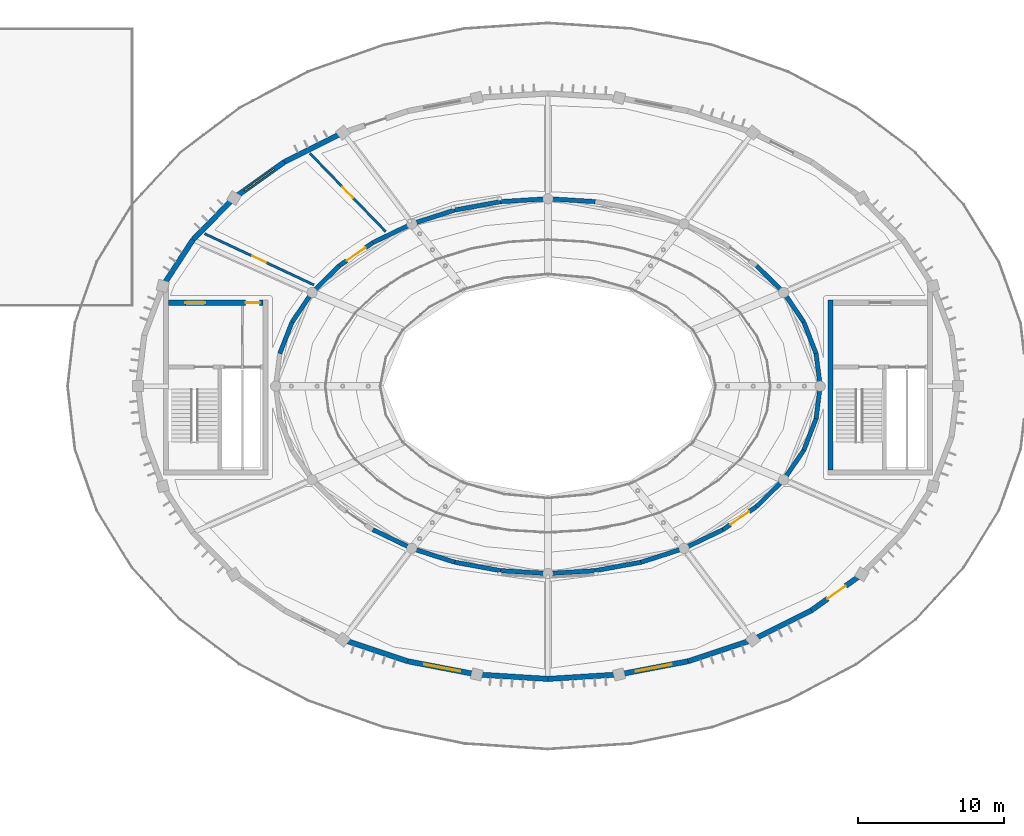
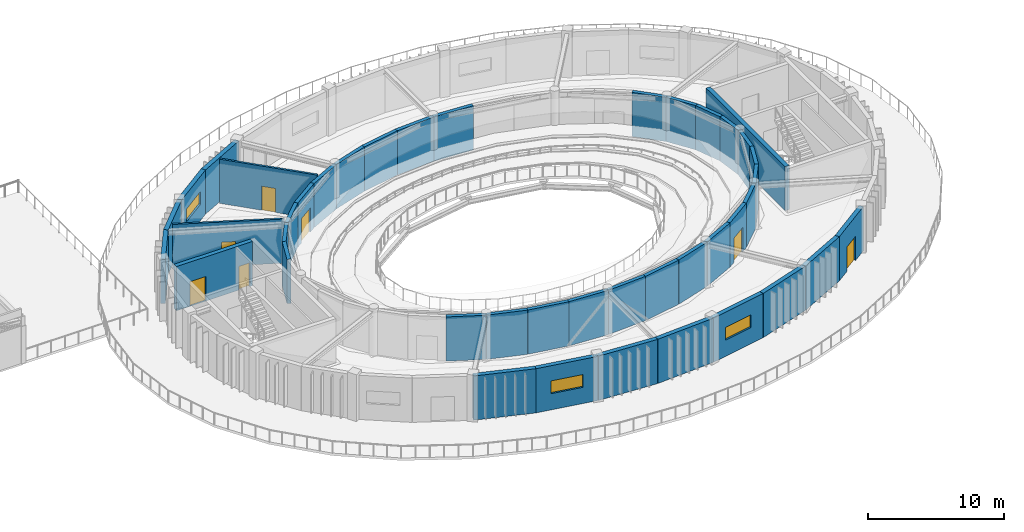
# One storey, part 45 of 63: 42 walls, 7 doors, 3 windows, 10 openings.
"""IFC4 building model written with IfcOpenShell, lengths in metres."""

from ifc_helpers import new_model, si_unit, direction, frame, frame_2d, origin, place, context, subcontext, project, spatial, rectangle, extrude, material, layer, layer_set, type_object, element, fill, save


model = new_model("IFC4")

# Units and contexts
model_context = context("Model", 3, precision=1e-05, world=origin(), true_north=direction((0.0, 1.0)))
body_context = subcontext(model_context, "Body", "Model", "MODEL_VIEW")
ifc_project = project(units=[si_unit("LENGTHUNIT", "METRE"), si_unit("AREAUNIT", "SQUARE_METRE"), si_unit("VOLUMEUNIT", "CUBIC_METRE"), si_unit("PLANEANGLEUNIT", "RADIAN"), si_unit("MASSUNIT", "GRAM", prefix="KILO")], contexts=[model_context])

# Site, building, storey
site_placement = place(None, origin())
site = spatial("IfcSite", under=ifc_project, at=site_placement, CompositionType="ELEMENT")
building_placement = place(site_placement, origin())
building = spatial("IfcBuilding", under=site, at=building_placement, Name="Tarnveldt Headland Concert Hall", CompositionType="ELEMENT")
storey_placement = place(building_placement, frame((0.0, 0.0, 14.39990234375)))
storey = spatial("IfcBuildingStorey", under=building, at=storey_placement, Name="L03", CompositionType="ELEMENT", Elevation=14.39990234375)

# Wall, openings, doors
ifc_material_1 = material(Name="Concrete C40/50", Category="concrete")
ifc_layer_1 = layer(ifc_material_1, 0.35009765625, Name="Concrete C40/50", Category="concrete")
ifc_layer_set_1 = layer_set([ifc_layer_1], Name="Concrete C40/50")
wall_type_1 = type_object("IfcWallType", Name="WL-CR350", PredefinedType="SHEAR", material=ifc_layer_set_1)
wall_1_placement = place(storey_placement, frame((57.574951171875, 60.199951171875, 0.0), z_axis=(0.0, 0.0, 1.0), x_axis=(1.0, 0.0, 0.0)))
wall_1 = element("IfcWall", 1, at=wall_1_placement, inside=storey, type_object=wall_type_1, Name="Core C1 north shear wall L03", PredefinedType="SHEAR", context=body_context, shape_type="SweptSolid", body=[
    extrude(rectangle(XDim=6.449951171875, YDim=0.35009765625, at=frame_2d((3.22509765625, 0.0))), origin(), (0.0, 0.0, 1.0), 3.960205078125),
])
opening_1_placement = place(wall_1_placement, frame((1.14990234375, 0.0, 0.0)))
opening_1 = element("IfcOpeningElement", 2, at=opening_1_placement, cuts=wall_1, Name="Opening FFD-C1-L03", PredefinedType="OPENING", context=body_context, shape_type="SweptSolid", body=[
    extrude(rectangle(XDim=1.35009765625, YDim=2.199951171875, at=frame_2d((0.675048828125, 1.10009765625))), frame((0.0, 0.18505859375, 0.0), z_axis=(0.0, -1.0, 0.0), x_axis=(1.0, 0.0, 0.0)), (0.0, 0.0, 1.0), 0.3701171875),
])
opening_2_placement = place(wall_1_placement, frame((5.280029296875, 0.0, 0.0)))
opening_2 = element("IfcOpeningElement", 3, at=opening_2_placement, cuts=wall_1, Name="Opening LBD-C1-L03", PredefinedType="OPENING", context=body_context, shape_type="SweptSolid", body=[
    extrude(rectangle(XDim=0.949951171875, YDim=2.1201171875, at=frame_2d((0.47509765625, 1.06005859375))), frame((0.0, 0.18505859375, 0.0), z_axis=(0.0, -1.0, 0.0), x_axis=(1.0, 0.0, 0.0)), (0.0, 0.0, 1.0), 0.3701171875),
])
ifc_material_2 = material(Name="Galvanised painted steel sheet", Category="steel")
door_type_1 = type_object("IfcDoorType", Name="DR-FF135", OperationType="NOTDEFINED", PredefinedType="DOOR", material=ifc_material_2)
door_1_placement = place(opening_1_placement, origin())
door_1 = element("IfcDoor", 4, at=door_1_placement, inside=storey, type_object=door_type_1, Name="Core C1 firefighting lobby entrance door L03", OperationType="SINGLE_SWING_RIGHT", OverallHeight=2.199951171875, OverallWidth=1.35009765625, PredefinedType="DOOR", context=body_context, shape_type="SweptSolid", body=[
    extrude(rectangle(XDim=1.35009765625, YDim=2.199951171875, at=frame_2d((0.675048828125, 1.10009765625))), frame((0.0, 0.02490234375, 0.0), z_axis=(0.0, -1.0, 0.0), x_axis=(1.0, 0.0, 0.0)), (0.0, 0.0, 1.0), 0.050048828125),
])
fill(opening_1, door_1)
ifc_material_3 = material(Name="Treated East African mvule hardwood", Category="wood")
door_type_2 = type_object("IfcDoorType", Name="DR-RM095", OperationType="NOTDEFINED", PredefinedType="DOOR", material=ifc_material_3)
door_2_placement = place(opening_2_placement, origin())
door_2 = element("IfcDoor", 5, at=door_2_placement, inside=storey, type_object=door_type_2, Name="Core C1 lift lobby entrance door L03", OperationType="SINGLE_SWING_LEFT", OverallHeight=2.1201171875, OverallWidth=0.949951171875, PredefinedType="DOOR", context=body_context, shape_type="SweptSolid", body=[
    extrude(rectangle(XDim=0.949951171875, YDim=2.1201171875, at=frame_2d((0.47509765625, 1.06005859375))), frame((0.0, 0.02490234375, 0.0), z_axis=(0.0, -1.0, 0.0), x_axis=(1.0, 0.0, 0.0)), (0.0, 0.0, 1.0), 0.050048828125),
])
fill(opening_2, door_2)

# Walls
wall_2_placement = place(storey_placement, frame((102.800048828125, 48.77490234375, 0.0), z_axis=(0.0, 0.0, 1.0), x_axis=(0.0, 1.0, 0.0)))
element("IfcWall", 6, at=wall_2_placement, inside=storey, type_object=wall_type_1, Name="Core C2 west shear wall L03", PredefinedType="SHEAR", context=body_context, shape_type="SweptSolid", body=[
    extrude(rectangle(XDim=11.60009765625, YDim=0.35009765625, at=frame_2d((5.800048828125, 0.0))), origin(), (0.0, 0.0, 1.0), 3.960205078125),
])
ifc_layer_2 = layer(ifc_material_1, 0.360107421875, Name="Concrete C40/50", Category="concrete")
ifc_layer_set_2 = layer_set([ifc_layer_2], Name="Concrete C40/50")
wall_type_2 = type_object("IfcWallType", Name="WL-CR360", PredefinedType="SHEAR", material=ifc_layer_set_2)
wall_3_placement = place(storey_placement, frame((69.5, 71.820556640625, 0.0), z_axis=(0.0, 0.0, 1.0), x_axis=(-0.894361644392, -0.447344664705, 0.0)))
element("IfcWall", 7, at=wall_3_placement, inside=storey, type_object=wall_type_2, Name="Symphony drum shear wall L03-13", PredefinedType="SHEAR", context=body_context, shape_type="SweptSolid", body=[
    extrude(rectangle(XDim=4.47021484375, YDim=0.360107421875, at=frame_2d((2.235107421875, 0.0))), origin(), (0.0, 0.0, 1.0), 3.960205078125),
])

# Wall, opening, window
wall_4_placement = place(storey_placement, frame((65.501953125, 69.82080078125, 0.0), z_axis=(0.0, 0.0, 1.0), x_axis=(-0.813737360708, -0.581232748378, 0.0)))
wall_4 = element("IfcWall", 8, at=wall_4_placement, inside=storey, type_object=wall_type_2, Name="Symphony drum shear wall L03-14", PredefinedType="SHEAR", context=body_context, shape_type="SweptSolid", body=[
    extrude(rectangle(XDim=4.2412109375, YDim=0.360107421875, at=frame_2d((2.12060546875, 0.0))), origin(), (0.0, 0.0, 1.0), 3.960205078125),
])
opening_3_placement = place(wall_4_placement, frame((0.87060546875, 0.0, 1.449951171875)))
opening_3 = element("IfcOpeningElement", 9, at=opening_3_placement, cuts=wall_4, Name="Opening W-D004", PredefinedType="OPENING", context=body_context, shape_type="SweptSolid", body=[
    extrude(rectangle(XDim=2.5, YDim=1.14990234375, at=frame_2d((1.25, 0.574951171875))), frame((0.0, 0.18994140625, 0.0), z_axis=(0.0, -1.0, 0.0), x_axis=(1.0, 0.0, 0.0)), (0.0, 0.0, 1.0), 0.380126953125),
])
ifc_material_4 = material(Name="Acoustic laminated low-iron double glazing", Category="glass")
window_type = type_object("IfcWindowType", Name="WN-21", PartitioningType="SINGLE_PANEL", PredefinedType="WINDOW", material=ifc_material_4)
window_1_placement = place(opening_3_placement, origin())
window_1 = element("IfcWindow", 10, at=window_1_placement, inside=storey, type_object=window_type, Name="Drum acoustic gallery window L03-14", OverallHeight=1.14990234375, OverallWidth=2.5, PartitioningType="SINGLE_PANEL", PredefinedType="WINDOW", context=body_context, shape_type="SweptSolid", body=[
    extrude(rectangle(XDim=2.5, YDim=1.14990234375, at=frame_2d((1.25, 0.574951171875))), frame((0.0, 0.030029296875, 0.0), z_axis=(0.0, -1.0, 0.0), x_axis=(1.0, 0.0, 0.0)), (0.0, 0.0, 1.0), 0.06005859375),
])
fill(opening_3, window_1)

# Walls
wall_5_placement = place(storey_placement, frame((62.05078125, 67.355712890625, 0.0), z_axis=(0.0, 0.0, 1.0), x_axis=(-0.700051268358, -0.714092586203, 0.0)))
element("IfcWall", 11, at=wall_5_placement, inside=storey, type_object=wall_type_2, Name="Symphony drum shear wall L03-15", PredefinedType="SHEAR", context=body_context, shape_type="SweptSolid", body=[
    extrude(rectangle(XDim=3.9990234375, YDim=0.360107421875, at=frame_2d((1.99951171875, 0.0))), origin(), (0.0, 0.0, 1.0), 3.960205078125),
])
wall_6_placement = place(storey_placement, frame((59.251220703125, 64.5, 0.0), z_axis=(0.0, 0.0, 1.0), x_axis=(-0.546611158382, -0.837386554425, 0.0)))
element("IfcWall", 12, at=wall_6_placement, inside=storey, type_object=wall_type_2, Name="Symphony drum shear wall L03-16", PredefinedType="SHEAR", context=body_context, shape_type="SweptSolid", body=[
    extrude(rectangle(XDim=3.773193359375, YDim=0.360107421875, at=frame_2d((1.88671875, 0.0))), origin(), (0.0, 0.0, 1.0), 3.960205078125),
])
wall_7_placement = place(storey_placement, frame((69.5, 37.179443359375, 0.0), z_axis=(0.0, 0.0, 1.0), x_axis=(0.948751350732, -0.316023534699, 0.0)))
element("IfcWall", 13, at=wall_7_placement, inside=storey, type_object=wall_type_2, Name="Symphony drum shear wall L03-25", PredefinedType="SHEAR", context=body_context, shape_type="SweptSolid", body=[
    extrude(rectangle(XDim=4.662353515625, YDim=0.360107421875, at=frame_2d((2.3310546875, 0.0))), origin(), (0.0, 0.0, 1.0), 3.960205078125),
])

# Wall, opening, window
wall_8_placement = place(storey_placement, frame((73.92333984375, 35.7060546875, 0.0), z_axis=(0.0, 0.0, 1.0), x_axis=(0.982172578083, -0.187981453503, 0.0)))
wall_8 = element("IfcWall", 14, at=wall_8_placement, inside=storey, type_object=wall_type_2, Name="Symphony drum shear wall L03-26", PredefinedType="SHEAR", context=body_context, shape_type="SweptSolid", body=[
    extrude(rectangle(XDim=4.80029296875, YDim=0.360107421875, at=frame_2d((2.400146484375, 0.0))), origin(), (0.0, 0.0, 1.0), 3.960205078125),
])
opening_4_placement = place(wall_8_placement, frame((1.14990234375, 0.0, 1.449951171875)))
opening_4 = element("IfcOpeningElement", 15, at=opening_4_placement, cuts=wall_8, Name="Opening W-D006", PredefinedType="OPENING", context=body_context, shape_type="SweptSolid", body=[
    extrude(rectangle(XDim=2.5, YDim=1.14990234375, at=frame_2d((1.25, 0.574951171875))), frame((0.0, 0.18994140625, 0.0), z_axis=(0.0, -1.0, 0.0), x_axis=(1.0, 0.0, 0.0)), (0.0, 0.0, 1.0), 0.380126953125),
])
window_2_placement = place(opening_4_placement, origin())
window_2 = element("IfcWindow", 16, at=window_2_placement, inside=storey, type_object=window_type, Name="Drum acoustic gallery window L03-26", OverallHeight=1.14990234375, OverallWidth=2.5, PartitioningType="SINGLE_PANEL", PredefinedType="WINDOW", context=body_context, shape_type="SweptSolid", body=[
    extrude(rectangle(XDim=2.5, YDim=1.14990234375, at=frame_2d((1.25, 0.574951171875))), frame((0.0, 0.030029296875, 0.0), z_axis=(0.0, -1.0, 0.0), x_axis=(1.0, 0.0, 0.0)), (0.0, 0.0, 1.0), 0.06005859375),
])
fill(opening_4, window_2)

# Walls
for number, where, z_axis, x_axis, name in (
    (17, (78.637939453125, 34.8037109375, 0.0), (0.0, 0.0, 1.0), (0.998054722924, -0.06234396562, 0.0), "Symphony drum shear wall L03-27"),
    (18, (83.5, 34.5, 0.0), (0.0, 0.0, 1.0), (0.998054722924, 0.06234396562, 0.0), "Symphony drum shear wall L03-28"),
):
    element("IfcWall", number, at=place(storey_placement, frame(where, z_axis=z_axis, x_axis=x_axis)), inside=storey, type_object=wall_type_2, Name=name, PredefinedType="SHEAR", context=body_context, shape_type="SweptSolid", body=[
        extrude(rectangle(XDim=4.87158203125, YDim=0.360107421875, at=frame_2d((2.435791015625, 0.0))), origin(), (0.0, 0.0, 1.0), 3.960205078125),
    ])

# Wall, opening, window
wall_9_placement = place(storey_placement, frame((88.362060546875, 34.8037109375, 0.0), z_axis=(0.0, 0.0, 1.0), x_axis=(0.982172578083, 0.187981453503, 0.0)))
wall_9 = element("IfcWall", 19, at=wall_9_placement, inside=storey, type_object=wall_type_2, Name="Symphony drum shear wall L03-29", PredefinedType="SHEAR", context=body_context, shape_type="SweptSolid", body=[
    extrude(rectangle(XDim=4.80029296875, YDim=0.360107421875, at=frame_2d((2.400146484375, 0.0))), origin(), (0.0, 0.0, 1.0), 3.960205078125),
])
opening_5_placement = place(wall_9_placement, frame((1.14990234375, 0.0, 1.449951171875)))
opening_5 = element("IfcOpeningElement", 20, at=opening_5_placement, cuts=wall_9, Name="Opening W-D007", PredefinedType="OPENING", context=body_context, shape_type="SweptSolid", body=[
    extrude(rectangle(XDim=2.5, YDim=1.14990234375, at=frame_2d((1.25, 0.574951171875))), frame((0.0, 0.18994140625, 0.0), z_axis=(0.0, -1.0, 0.0), x_axis=(1.0, 0.0, 0.0)), (0.0, 0.0, 1.0), 0.380126953125),
])
window_3_placement = place(opening_5_placement, origin())
window_3 = element("IfcWindow", 21, at=window_3_placement, inside=storey, type_object=window_type, Name="Drum acoustic gallery window L03-29", OverallHeight=1.14990234375, OverallWidth=2.5, PartitioningType="SINGLE_PANEL", PredefinedType="WINDOW", context=body_context, shape_type="SweptSolid", body=[
    extrude(rectangle(XDim=2.5, YDim=1.14990234375, at=frame_2d((1.25, 0.574951171875))), frame((0.0, 0.030029296875, 0.0), z_axis=(0.0, -1.0, 0.0), x_axis=(1.0, 0.0, 0.0)), (0.0, 0.0, 1.0), 0.06005859375),
])
fill(opening_5, window_3)

# Walls
wall_10_placement = place(storey_placement, frame((93.07666015625, 35.7060546875, 0.0), z_axis=(0.0, 0.0, 1.0), x_axis=(0.948751350732, 0.316023534699, 0.0)))
element("IfcWall", 22, at=wall_10_placement, inside=storey, type_object=wall_type_2, Name="Symphony drum shear wall L03-30", PredefinedType="SHEAR", context=body_context, shape_type="SweptSolid", body=[
    extrude(rectangle(XDim=4.662353515625, YDim=0.360107421875, at=frame_2d((2.3310546875, 0.0))), origin(), (0.0, 0.0, 1.0), 3.960205078125),
])
wall_11_placement = place(storey_placement, frame((97.5, 37.179443359375, 0.0), z_axis=(0.0, 0.0, 1.0), x_axis=(0.894361644392, 0.447344664705, 0.0)))
element("IfcWall", 23, at=wall_11_placement, inside=storey, type_object=wall_type_2, Name="Symphony drum shear wall L03-31", PredefinedType="SHEAR", context=body_context, shape_type="SweptSolid", body=[
    extrude(rectangle(XDim=4.47021484375, YDim=0.360107421875, at=frame_2d((2.235107421875, 0.0))), origin(), (0.0, 0.0, 1.0), 3.960205078125),
])

# Wall, opening, door
wall_12_placement = place(storey_placement, frame((101.498046875, 39.17919921875, 0.0), z_axis=(0.0, 0.0, 1.0), x_axis=(0.813737360708, 0.581232748378, 0.0)))
wall_12 = element("IfcWall", 24, at=wall_12_placement, inside=storey, type_object=wall_type_2, Name="Symphony drum shear wall L03-32", PredefinedType="SHEAR", context=body_context, shape_type="SweptSolid", body=[
    extrude(rectangle(XDim=4.2412109375, YDim=0.360107421875, at=frame_2d((2.12060546875, 0.0))), origin(), (0.0, 0.0, 1.0), 3.960205078125),
])
opening_6_placement = place(wall_12_placement, frame((1.37060546875, 0.0, 0.0)))
opening_6 = element("IfcOpeningElement", 25, at=opening_6_placement, cuts=wall_12, Name="Opening TD-L03-4", PredefinedType="OPENING", context=body_context, shape_type="SweptSolid", body=[
    extrude(rectangle(XDim=1.5, YDim=2.179931640625, at=frame_2d((0.75, 1.08984375))), frame((0.0, 0.18994140625, 0.0), z_axis=(0.0, -1.0, 0.0), x_axis=(1.0, 0.0, 0.0)), (0.0, 0.0, 1.0), 0.380126953125),
])
ifc_material_5 = material(Name="Marine-anodised aluminium EN AW-6063-T6", Category="aluminium")
door_type_3 = type_object("IfcDoorType", Name="DR-TR150", OperationType="NOTDEFINED", PredefinedType="DOOR", material=ifc_material_5)
door_3_placement = place(opening_6_placement, origin())
door_3 = element("IfcDoor", 26, at=door_3_placement, inside=storey, type_object=door_type_3, Name="Drum terrace access door 4", OperationType="SINGLE_SWING_RIGHT", OverallHeight=2.179931640625, OverallWidth=1.5, PredefinedType="DOOR", context=body_context, shape_type="SweptSolid", body=[
    extrude(rectangle(XDim=1.5, YDim=2.179931640625, at=frame_2d((0.75, 1.08984375))), frame((0.0, 0.02490234375, 0.0), z_axis=(0.0, -1.0, 0.0), x_axis=(1.0, 0.0, 0.0)), (0.0, 0.0, 1.0), 0.050048828125),
])
fill(opening_6, door_3)

ifc_material_6 = material(Name="Acoustic multi-layer gypsum and mineral-wool partition", Category="gypsum")
ifc_layer_3 = layer(ifc_material_6, 0.1650390625, Name="Acoustic multi-layer gypsum and mineral-wool partition", Category="gypsum")
ifc_layer_set_3 = layer_set([ifc_layer_3], Name="Acoustic multi-layer gypsum and mineral-wool partition")
wall_type_3 = type_object("IfcWallType", Name="WL-PT165", PredefinedType="PARTITIONING", material=ifc_layer_set_3)
wall_13_placement = place(storey_placement, frame((72.420166015625, 65.0576171875, 0.0), z_axis=(0.0, 0.0, 1.0), x_axis=(-0.695769273471, 0.718265353539, 0.0)))
wall_13 = element("IfcWall", 27, at=wall_13_placement, inside=storey, type_object=wall_type_3, Name="Interior acoustic partition L03-240", PredefinedType="PARTITIONING", context=body_context, shape_type="SweptSolid", body=[
    extrude(rectangle(XDim=7.43408203125, YDim=0.1650390625, at=frame_2d((3.717041015625, 0.0))), origin(), (0.0, 0.0, 1.0), 3.9541015625),
])
opening_7_placement = place(wall_13_placement, frame((3.19189453125, 0.0, 0.0)))
opening_7 = element("IfcOpeningElement", 28, at=opening_7_placement, cuts=wall_13, Name="Opening D-L03-236", PredefinedType="OPENING", context=body_context, shape_type="SweptSolid", body=[
    extrude(rectangle(XDim=1.050048828125, YDim=2.14990234375, at=frame_2d((0.52490234375, 1.074951171875))), frame((0.0, 0.092529296875, 0.0), z_axis=(0.0, -1.0, 0.0), x_axis=(1.0, 0.0, 0.0)), (0.0, 0.0, 1.0), 0.18505859375),
])
door_type_4 = type_object("IfcDoorType", Name="DR-RM105", OperationType="NOTDEFINED", PredefinedType="DOOR", material=ifc_material_3)
door_4_placement = place(opening_7_placement, origin())
door_4 = element("IfcDoor", 29, at=door_4_placement, inside=storey, type_object=door_type_4, Name="Interior room door L03-236", OperationType="SINGLE_SWING_RIGHT", OverallHeight=2.14990234375, OverallWidth=1.050048828125, PredefinedType="DOOR", context=body_context, shape_type="SweptSolid", body=[
    extrude(rectangle(XDim=1.050048828125, YDim=2.14990234375, at=frame_2d((0.52490234375, 1.074951171875))), frame((0.0, 0.02490234375, 0.0), z_axis=(0.0, -1.0, 0.0), x_axis=(1.0, 0.0, 0.0)), (0.0, 0.0, 1.0), 0.050048828125),
])
fill(opening_7, door_4)

wall_14_placement = place(storey_placement, frame((67.514404296875, 61.415283203125, 0.0), z_axis=(0.0, 0.0, 1.0), x_axis=(-0.905490239543, 0.424367088841, 0.0)))
wall_14 = element("IfcWall", 30, at=wall_14_placement, inside=storey, type_object=wall_type_3, Name="Interior acoustic partition L03-241", PredefinedType="PARTITIONING", context=body_context, shape_type="SweptSolid", body=[
    extrude(rectangle(XDim=8.241943359375, YDim=0.1650390625, at=frame_2d((4.12109375, 0.0))), origin(), (0.0, 0.0, 1.0), 3.9541015625),
])
opening_8_placement = place(wall_14_placement, frame((3.595947265625, 0.0, 0.0)))
opening_8 = element("IfcOpeningElement", 31, at=opening_8_placement, cuts=wall_14, Name="Opening D-L03-237", PredefinedType="OPENING", context=body_context, shape_type="SweptSolid", body=[
    extrude(rectangle(XDim=1.050048828125, YDim=2.14990234375, at=frame_2d((0.52490234375, 1.074951171875))), frame((0.0, 0.092529296875, 0.0), z_axis=(0.0, -1.0, 0.0), x_axis=(1.0, 0.0, 0.0)), (0.0, 0.0, 1.0), 0.18505859375),
])
door_5_placement = place(opening_8_placement, origin())
door_5 = element("IfcDoor", 32, at=door_5_placement, inside=storey, type_object=door_type_4, Name="Interior room door L03-237", OperationType="SINGLE_SWING_LEFT", OverallHeight=2.14990234375, OverallWidth=1.050048828125, PredefinedType="DOOR", context=body_context, shape_type="SweptSolid", body=[
    extrude(rectangle(XDim=1.050048828125, YDim=2.14990234375, at=frame_2d((0.52490234375, 1.074951171875))), frame((0.0, 0.02490234375, 0.0), z_axis=(0.0, -1.0, 0.0), x_axis=(1.0, 0.0, 0.0)), (0.0, 0.0, 1.0), 0.050048828125),
])
fill(opening_8, door_5)

# Walls
ifc_layer_4 = layer(ifc_material_1, 0.300048828125, Name="Concrete C40/50", Category="concrete")
ifc_layer_set_4 = layer_set([ifc_layer_4], Name="Concrete C40/50")
wall_type_4 = type_object("IfcWallType", Name="WL-SH300", PredefinedType="SHEAR", material=ifc_layer_set_4)
wall_15_placement = place(storey_placement, frame((102.10009765625, 54.5, 0.0), z_axis=(0.0, 0.0, 1.0), x_axis=(-0.126180195213, 0.992007337844, 0.0)))
element("IfcWall", 33, at=wall_15_placement, inside=storey, type_object=wall_type_4, Name="Acoustic inner box wall L03-1", PredefinedType="SHEAR", context=body_context, shape_type="SweptSolid", body=[
    extrude(rectangle(XDim=2.240478515625, YDim=0.300048828125, at=frame_2d((1.1201171875, 0.0))), origin(), (0.0, 0.0, 1.0), 3.960205078125),
])
wall_16_placement = place(storey_placement, frame((101.8173828125, 56.72265625, 0.0), z_axis=(0.0, 0.0, 1.0), x_axis=(-0.362802811216, 0.931865934657, 0.0)))
element("IfcWall", 34, at=wall_16_placement, inside=storey, type_object=wall_type_4, Name="Acoustic inner box wall L03-2", PredefinedType="SHEAR", context=body_context, shape_type="SweptSolid", body=[
    extrude(rectangle(XDim=2.312744140625, YDim=0.300048828125, at=frame_2d((1.15625, 0.0))), origin(), (0.0, 0.0, 1.0), 3.960205078125),
])
wall_17_placement = place(storey_placement, frame((100.978271484375, 58.8779296875, 0.0), z_axis=(0.0, 0.0, 1.0), x_axis=(-0.560958648975, 0.827843822312, 0.0)))
element("IfcWall", 35, at=wall_17_placement, inside=storey, type_object=wall_type_4, Name="Acoustic inner box wall L03-3", PredefinedType="SHEAR", context=body_context, shape_type="SweptSolid", body=[
    extrude(rectangle(XDim=2.4423828125, YDim=0.300048828125, at=frame_2d((1.22119140625, 0.0))), origin(), (0.0, 0.0, 1.0), 3.960205078125),
])
wall_18_placement = place(storey_placement, frame((99.608154296875, 60.89990234375, 0.0), z_axis=(0.0, 0.0, 1.0), x_axis=(-0.713212431679, 0.700947949065, 0.0)))
element("IfcWall", 36, at=wall_18_placement, inside=storey, type_object=wall_type_4, Name="Acoustic inner box wall L03-4", PredefinedType="SHEAR", context=body_context, shape_type="SweptSolid", body=[
    extrude(rectangle(XDim=2.607666015625, YDim=0.300048828125, at=frame_2d((1.3037109375, 0.0))), origin(), (0.0, 0.0, 1.0), 3.960205078125),
])
for number, where, z_axis, x_axis, name in (
    (37, (86.72998046875, 67.10546875, 0.0), (0.0, 0.0, 1.0), (-0.99819038223, 0.060132859761, 0.0), "Acoustic inner box wall L03-9"),
    (38, (83.5, 67.300048828125, 0.0), (0.0, 0.0, 1.0), (-0.99819038223, -0.060132859761, 0.0), "Acoustic inner box wall L03-10"),
):
    element("IfcWall", number, at=place(storey_placement, frame(where, z_axis=z_axis, x_axis=x_axis)), inside=storey, type_object=wall_type_4, Name=name, PredefinedType="SHEAR", context=body_context, shape_type="SweptSolid", body=[
        extrude(rectangle(XDim=3.23583984375, YDim=0.300048828125, at=frame_2d((1.617919921875, 0.0))), origin(), (0.0, 0.0, 1.0), 3.960205078125),
    ])
wall_19_placement = place(storey_placement, frame((80.27001953125, 67.10546875, 0.0), z_axis=(0.0, 0.0, 1.0), x_axis=(-0.9834240594, -0.18132048807, 0.0)))
element("IfcWall", 39, at=wall_19_placement, inside=storey, type_object=wall_type_4, Name="Acoustic inner box wall L03-11", PredefinedType="SHEAR", context=body_context, shape_type="SweptSolid", body=[
    extrude(rectangle(XDim=3.184326171875, YDim=0.300048828125, at=frame_2d((1.59228515625, 0.0))), origin(), (0.0, 0.0, 1.0), 3.960205078125),
])
wall_20_placement = place(storey_placement, frame((77.138427734375, 66.528076171875, 0.0), z_axis=(0.0, 0.0, 1.0), x_axis=(-0.952183186678, -0.305527705795, 0.0)))
element("IfcWall", 40, at=wall_20_placement, inside=storey, type_object=wall_type_4, Name="Acoustic inner box wall L03-12", PredefinedType="SHEAR", context=body_context, shape_type="SweptSolid", body=[
    extrude(rectangle(XDim=3.0859375, YDim=0.300048828125, at=frame_2d((1.54296875, 0.0))), origin(), (0.0, 0.0, 1.0), 3.960205078125),
])
wall_21_placement = place(storey_placement, frame((74.199951171875, 65.585205078125, 0.0), z_axis=(0.0, 0.0, 1.0), x_axis=(-0.900857755122, -0.434114391648, 0.0)))
element("IfcWall", 41, at=wall_21_placement, inside=storey, type_object=wall_type_4, Name="Acoustic inner box wall L03-13", PredefinedType="SHEAR", context=body_context, shape_type="SweptSolid", body=[
    extrude(rectangle(XDim=2.947998046875, YDim=0.300048828125, at=frame_2d((1.47412109375, 0.0))), origin(), (0.0, 0.0, 1.0), 3.960205078125),
])

# Wall, opening, door
wall_22_placement = place(storey_placement, frame((71.544189453125, 64.305419921875, 0.0), z_axis=(0.0, 0.0, 1.0), x_axis=(-0.823780742291, -0.566908536388, 0.0)))
wall_22 = element("IfcWall", 42, at=wall_22_placement, inside=storey, type_object=wall_type_4, Name="Acoustic inner box wall L03-14", PredefinedType="SHEAR", context=body_context, shape_type="SweptSolid", body=[
    extrude(rectangle(XDim=2.782958984375, YDim=0.300048828125, at=frame_2d((1.3916015625, 0.0))), origin(), (0.0, 0.0, 1.0), 3.960205078125),
])
opening_9_placement = place(wall_22_placement, frame((0.616455078125, 0.0, 0.0)))
opening_9 = element("IfcOpeningElement", 43, at=opening_9_placement, cuts=wall_22, Name="Opening AD-I042", PredefinedType="OPENING", context=body_context, shape_type="SweptSolid", body=[
    extrude(rectangle(XDim=1.550048828125, YDim=2.179931640625, at=frame_2d((0.77490234375, 1.08984375))), frame((0.0, 0.159912109375, 0.0), z_axis=(0.0, -1.0, 0.0), x_axis=(1.0, 0.0, 0.0)), (0.0, 0.0, 1.0), 0.320068359375),
])
door_type_5 = type_object("IfcDoorType", Name="DR-AC155", OperationType="NOTDEFINED", PredefinedType="DOOR", material=ifc_material_3)
door_6_placement = place(opening_9_placement, origin())
door_6 = element("IfcDoor", 44, at=door_6_placement, inside=storey, type_object=door_type_5, Name="Auditorium sound-lock vomitory door L03-14", OperationType="SINGLE_SWING_RIGHT", OverallHeight=2.179931640625, OverallWidth=1.550048828125, PredefinedType="DOOR", context=body_context, shape_type="SweptSolid", body=[
    extrude(rectangle(XDim=1.550048828125, YDim=2.179931640625, at=frame_2d((0.77490234375, 1.08984375))), frame((0.0, 0.02490234375, 0.0), z_axis=(0.0, -1.0, 0.0), x_axis=(1.0, 0.0, 0.0)), (0.0, 0.0, 1.0), 0.050048828125),
])
fill(opening_9, door_6)

# Walls
wall_23_placement = place(storey_placement, frame((69.251708984375, 62.727783203125, 0.0), z_axis=(0.0, 0.0, 1.0), x_axis=(-0.713212431679, -0.700947949065, 0.0)))
element("IfcWall", 45, at=wall_23_placement, inside=storey, type_object=wall_type_4, Name="Acoustic inner box wall L03-15", PredefinedType="SHEAR", context=body_context, shape_type="SweptSolid", body=[
    extrude(rectangle(XDim=2.607666015625, YDim=0.300048828125, at=frame_2d((1.3037109375, 0.0))), origin(), (0.0, 0.0, 1.0), 3.960205078125),
])
wall_24_placement = place(storey_placement, frame((67.391845703125, 60.89990234375, 0.0), z_axis=(0.0, 0.0, 1.0), x_axis=(-0.560958648975, -0.827843822312, 0.0)))
element("IfcWall", 46, at=wall_24_placement, inside=storey, type_object=wall_type_4, Name="Acoustic inner box wall L03-16", PredefinedType="SHEAR", context=body_context, shape_type="SweptSolid", body=[
    extrude(rectangle(XDim=2.4423828125, YDim=0.300048828125, at=frame_2d((1.22119140625, 0.0))), origin(), (0.0, 0.0, 1.0), 3.960205078125),
])
wall_25_placement = place(storey_placement, frame((66.021728515625, 58.8779296875, 0.0), z_axis=(0.0, 0.0, 1.0), x_axis=(-0.362802811216, -0.931865934657, 0.0)))
element("IfcWall", 47, at=wall_25_placement, inside=storey, type_object=wall_type_4, Name="Acoustic inner box wall L03-17", PredefinedType="SHEAR", context=body_context, shape_type="SweptSolid", body=[
    extrude(rectangle(XDim=2.312744140625, YDim=0.300048828125, at=frame_2d((1.15625, 0.0))), origin(), (0.0, 0.0, 1.0), 3.960205078125),
])
wall_26_placement = place(storey_placement, frame((71.544189453125, 44.694580078125, 0.0), z_axis=(0.0, 0.0, 1.0), x_axis=(0.900857755122, -0.434114391648, 0.0)))
element("IfcWall", 48, at=wall_26_placement, inside=storey, type_object=wall_type_4, Name="Acoustic inner box wall L03-24", PredefinedType="SHEAR", context=body_context, shape_type="SweptSolid", body=[
    extrude(rectangle(XDim=2.947998046875, YDim=0.300048828125, at=frame_2d((1.47412109375, 0.0))), origin(), (0.0, 0.0, 1.0), 3.960205078125),
])
wall_27_placement = place(storey_placement, frame((74.199951171875, 43.414794921875, 0.0), z_axis=(0.0, 0.0, 1.0), x_axis=(0.952183186678, -0.305527705795, 0.0)))
element("IfcWall", 49, at=wall_27_placement, inside=storey, type_object=wall_type_4, Name="Acoustic inner box wall L03-25", PredefinedType="SHEAR", context=body_context, shape_type="SweptSolid", body=[
    extrude(rectangle(XDim=3.0859375, YDim=0.300048828125, at=frame_2d((1.54296875, 0.0))), origin(), (0.0, 0.0, 1.0), 3.960205078125),
])
wall_28_placement = place(storey_placement, frame((77.138427734375, 42.471923828125, 0.0), z_axis=(0.0, 0.0, 1.0), x_axis=(0.9834240594, -0.18132048807, 0.0)))
element("IfcWall", 50, at=wall_28_placement, inside=storey, type_object=wall_type_4, Name="Acoustic inner box wall L03-26", PredefinedType="SHEAR", context=body_context, shape_type="SweptSolid", body=[
    extrude(rectangle(XDim=3.184326171875, YDim=0.300048828125, at=frame_2d((1.59228515625, 0.0))), origin(), (0.0, 0.0, 1.0), 3.960205078125),
])
for number, where, z_axis, x_axis, name in (
    (51, (80.27001953125, 41.89453125, 0.0), (0.0, 0.0, 1.0), (0.99819038223, -0.060132859761, 0.0), "Acoustic inner box wall L03-27"),
    (52, (83.5, 41.699951171875, 0.0), (0.0, 0.0, 1.0), (0.99819038223, 0.060132859761, 0.0), "Acoustic inner box wall L03-28"),
):
    element("IfcWall", number, at=place(storey_placement, frame(where, z_axis=z_axis, x_axis=x_axis)), inside=storey, type_object=wall_type_4, Name=name, PredefinedType="SHEAR", context=body_context, shape_type="SweptSolid", body=[
        extrude(rectangle(XDim=3.23583984375, YDim=0.300048828125, at=frame_2d((1.617919921875, 0.0))), origin(), (0.0, 0.0, 1.0), 3.960205078125),
    ])
wall_29_placement = place(storey_placement, frame((86.72998046875, 41.89453125, 0.0), z_axis=(0.0, 0.0, 1.0), x_axis=(0.9834240594, 0.18132048807, 0.0)))
element("IfcWall", 53, at=wall_29_placement, inside=storey, type_object=wall_type_4, Name="Acoustic inner box wall L03-29", PredefinedType="SHEAR", context=body_context, shape_type="SweptSolid", body=[
    extrude(rectangle(XDim=3.184326171875, YDim=0.300048828125, at=frame_2d((1.59228515625, 0.0))), origin(), (0.0, 0.0, 1.0), 3.960205078125),
])
wall_30_placement = place(storey_placement, frame((89.861572265625, 42.471923828125, 0.0), z_axis=(0.0, 0.0, 1.0), x_axis=(0.952183186678, 0.305527705795, 0.0)))
element("IfcWall", 54, at=wall_30_placement, inside=storey, type_object=wall_type_4, Name="Acoustic inner box wall L03-30", PredefinedType="SHEAR", context=body_context, shape_type="SweptSolid", body=[
    extrude(rectangle(XDim=3.0859375, YDim=0.300048828125, at=frame_2d((1.54296875, 0.0))), origin(), (0.0, 0.0, 1.0), 3.960205078125),
])
wall_31_placement = place(storey_placement, frame((92.800048828125, 43.414794921875, 0.0), z_axis=(0.0, 0.0, 1.0), x_axis=(0.900857755122, 0.434114391648, 0.0)))
element("IfcWall", 55, at=wall_31_placement, inside=storey, type_object=wall_type_4, Name="Acoustic inner box wall L03-31", PredefinedType="SHEAR", context=body_context, shape_type="SweptSolid", body=[
    extrude(rectangle(XDim=2.947998046875, YDim=0.300048828125, at=frame_2d((1.47412109375, 0.0))), origin(), (0.0, 0.0, 1.0), 3.960205078125),
])

# Wall, opening, door
wall_32_placement = place(storey_placement, frame((95.455810546875, 44.694580078125, 0.0), z_axis=(0.0, 0.0, 1.0), x_axis=(0.823780742291, 0.566908536388, 0.0)))
wall_32 = element("IfcWall", 56, at=wall_32_placement, inside=storey, type_object=wall_type_4, Name="Acoustic inner box wall L03-32", PredefinedType="SHEAR", context=body_context, shape_type="SweptSolid", body=[
    extrude(rectangle(XDim=2.782958984375, YDim=0.300048828125, at=frame_2d((1.3916015625, 0.0))), origin(), (0.0, 0.0, 1.0), 3.960205078125),
])
opening_10_placement = place(wall_32_placement, frame((0.616455078125, 0.0, 0.0)))
opening_10 = element("IfcOpeningElement", 57, at=opening_10_placement, cuts=wall_32, Name="Opening AD-I044", PredefinedType="OPENING", context=body_context, shape_type="SweptSolid", body=[
    extrude(rectangle(XDim=1.550048828125, YDim=2.179931640625, at=frame_2d((0.77490234375, 1.08984375))), frame((0.0, 0.159912109375, 0.0), z_axis=(0.0, -1.0, 0.0), x_axis=(1.0, 0.0, 0.0)), (0.0, 0.0, 1.0), 0.320068359375),
])
door_7_placement = place(opening_10_placement, origin())
door_7 = element("IfcDoor", 58, at=door_7_placement, inside=storey, type_object=door_type_5, Name="Auditorium sound-lock vomitory door L03-32", OperationType="SINGLE_SWING_RIGHT", OverallHeight=2.179931640625, OverallWidth=1.550048828125, PredefinedType="DOOR", context=body_context, shape_type="SweptSolid", body=[
    extrude(rectangle(XDim=1.550048828125, YDim=2.179931640625, at=frame_2d((0.77490234375, 1.08984375))), frame((0.0, 0.02490234375, 0.0), z_axis=(0.0, -1.0, 0.0), x_axis=(1.0, 0.0, 0.0)), (0.0, 0.0, 1.0), 0.050048828125),
])
fill(opening_10, door_7)

# Walls
wall_33_placement = place(storey_placement, frame((97.748291015625, 46.272216796875, 0.0), z_axis=(0.0, 0.0, 1.0), x_axis=(0.713212431679, 0.700947949065, 0.0)))
element("IfcWall", 59, at=wall_33_placement, inside=storey, type_object=wall_type_4, Name="Acoustic inner box wall L03-33", PredefinedType="SHEAR", context=body_context, shape_type="SweptSolid", body=[
    extrude(rectangle(XDim=2.607666015625, YDim=0.300048828125, at=frame_2d((1.3037109375, 0.0))), origin(), (0.0, 0.0, 1.0), 3.960205078125),
])
wall_34_placement = place(storey_placement, frame((99.608154296875, 48.10009765625, 0.0), z_axis=(0.0, 0.0, 1.0), x_axis=(0.560958648975, 0.827843822312, 0.0)))
element("IfcWall", 60, at=wall_34_placement, inside=storey, type_object=wall_type_4, Name="Acoustic inner box wall L03-34", PredefinedType="SHEAR", context=body_context, shape_type="SweptSolid", body=[
    extrude(rectangle(XDim=2.4423828125, YDim=0.300048828125, at=frame_2d((1.22119140625, 0.0))), origin(), (0.0, 0.0, 1.0), 3.960205078125),
])
wall_35_placement = place(storey_placement, frame((100.978271484375, 50.1220703125, 0.0), z_axis=(0.0, 0.0, 1.0), x_axis=(0.362802811216, 0.931865934657, 0.0)))
element("IfcWall", 61, at=wall_35_placement, inside=storey, type_object=wall_type_4, Name="Acoustic inner box wall L03-35", PredefinedType="SHEAR", context=body_context, shape_type="SweptSolid", body=[
    extrude(rectangle(XDim=2.312744140625, YDim=0.300048828125, at=frame_2d((1.15625, 0.0))), origin(), (0.0, 0.0, 1.0), 3.960205078125),
])
wall_36_placement = place(storey_placement, frame((101.8173828125, 52.27734375, 0.0), z_axis=(0.0, 0.0, 1.0), x_axis=(0.126180195213, 0.992007337844, 0.0)))
element("IfcWall", 62, at=wall_36_placement, inside=storey, type_object=wall_type_4, Name="Acoustic inner box wall L03-36", PredefinedType="SHEAR", context=body_context, shape_type="SweptSolid", body=[
    extrude(rectangle(XDim=2.240478515625, YDim=0.300048828125, at=frame_2d((1.1201171875, 0.0))), origin(), (0.0, 0.0, 1.0), 3.960205078125),
])

save(model, "model.ifc")
